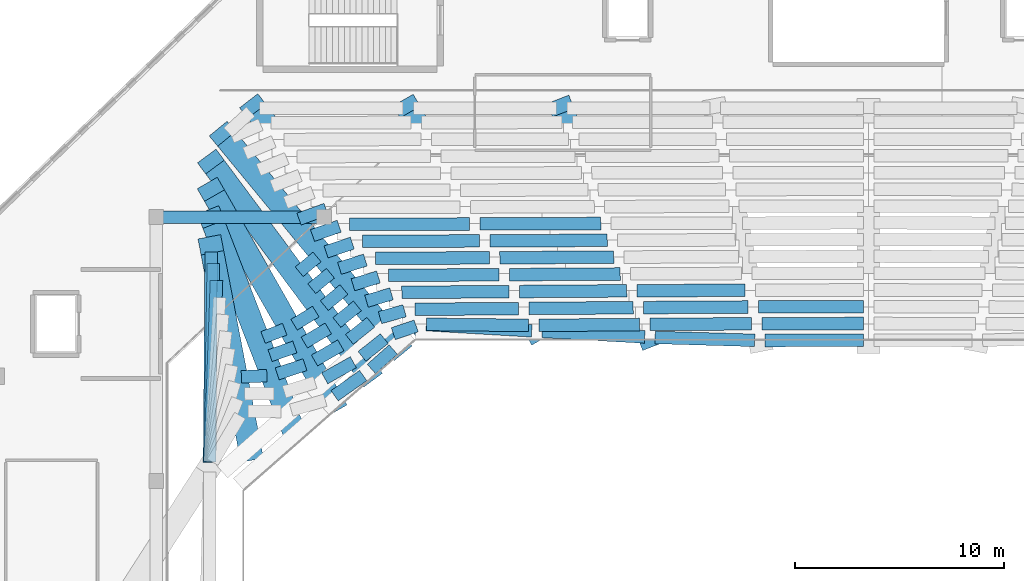
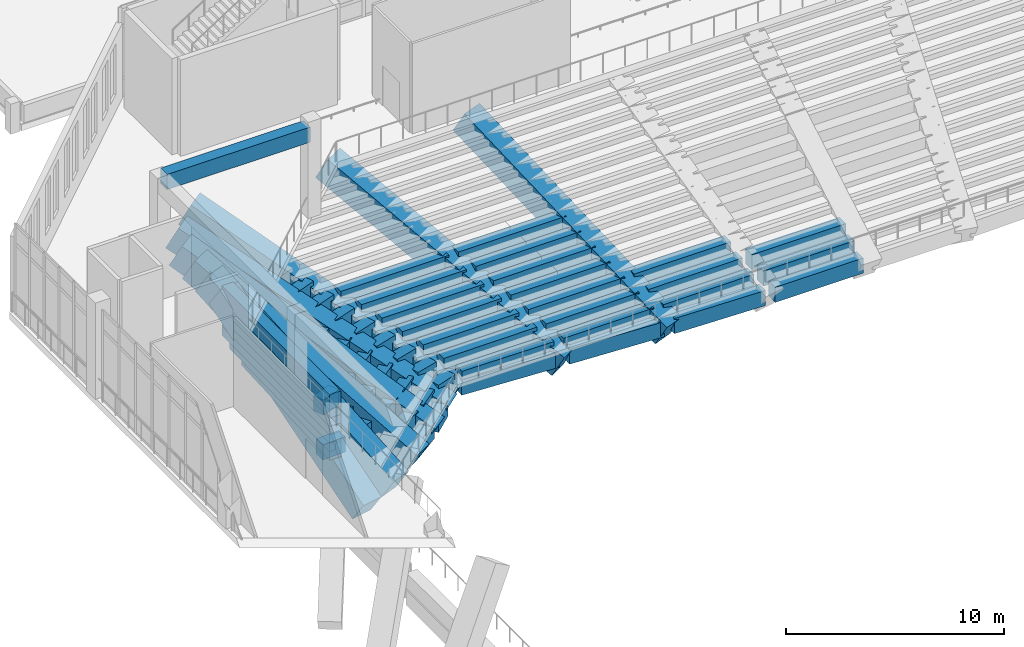
# One storey, part 20 of 55: 63 beams.
"""IFC4 building model written with IfcOpenShell, lengths in metres."""

import ifcopenshell
import ifcopenshell.guid

model = None  # the IFC model being written
_history = None  # IfcOwnerHistory: only IFC2X3 demands one
_inside = {}  # id of a spatial element -> (the spatial element, [elements in it])
_under = {}  # id of a project, library or spatial element -> (it, [spatial elements below it])
_declared = {}  # id of a project -> (the project, [libraries it declares])
_typed = {}  # id of a type object -> (the type object, [elements of that type])
_made_of = {}  # id of a material, layer set ... -> (it, [elements and type objects made of it])


def new_model(schema):
    """Start an empty IFC model of exactly this schema.

    Asked for "IFC4X3", IfcOpenShell would pick the latest addendum, in which some entities
    have other attributes; the version numbers below select the first issue.
    IFC2X3 requires an IfcOwnerHistory on every rooted entity: one is made here for all.
    """
    global model, _history
    if schema == "IFC4X3":
        model = ifcopenshell.file(schema_version=(4, 3, 0, 0))
    else:
        model = ifcopenshell.file(schema=schema)
    _inside.clear()
    _under.clear()
    _declared.clear()
    _typed.clear()
    _made_of.clear()
    _history = None
    if model.schema == "IFC2X3":
        org = make("IfcOrganization", Name="unknown")
        user = make(
            "IfcPersonAndOrganization",
            ThePerson=make("IfcPerson", FamilyName="unknown"),
            TheOrganization=org,
        )
        app = make(
            "IfcApplication",
            ApplicationDeveloper=org,
            Version="unknown",
            ApplicationFullName="unknown",
            ApplicationIdentifier="unknown",
        )
        _history = make(
            "IfcOwnerHistory",
            OwningUser=user,
            OwningApplication=app,
            ChangeAction="ADDED",
            CreationDate=0,
        )
    return model


def make(cls, **values):
    """One entity of the class cls with the attributes given. An attribute that is None is left unset."""
    return model.create_entity(
        cls, **{name: value for name, value in values.items() if value is not None}
    )


def rooted(cls, **values):
    """An entity with a GlobalId (a new one), such as an element, a storey or a relation."""
    return make(cls, GlobalId=ifcopenshell.guid.new(), OwnerHistory=_history, **values)


def si_unit(unit_type, name, prefix=None):
    """IfcSIUnit, for example si_unit("LENGTHUNIT", "METRE", prefix="MILLI")."""
    return make("IfcSIUnit", UnitType=unit_type, Prefix=prefix, Name=name)


def derived_unit(unit_type, elements):
    """IfcDerivedUnit: a product of units, each with its exponent."""
    return make(
        "IfcDerivedUnit",
        Elements=[
            make("IfcDerivedUnitElement", Unit=unit, Exponent=power)
            for unit, power in elements
        ],
        UnitType=unit_type,
    )


def assignment(units):
    """IfcUnitAssignment: the units of a project."""
    return None if units is None else make("IfcUnitAssignment", Units=units)


def point(xyz):
    """IfcCartesianPoint."""
    return None if xyz is None else make("IfcCartesianPoint", Coordinates=xyz)


def direction(xyz):
    """IfcDirection."""
    return None if xyz is None else make("IfcDirection", DirectionRatios=xyz)


def frame(location, z_axis=None, x_axis=None):
    """IfcAxis2Placement3D, a coordinate frame: its origin and axes. An axis left out is left unset."""
    return make(
        "IfcAxis2Placement3D",
        Location=point(location),
        Axis=direction(z_axis),
        RefDirection=direction(x_axis),
    )


def frame_2d(location, x_axis=None):
    """IfcAxis2Placement2D, a coordinate frame in the plane: its origin and x axis."""
    return make(
        "IfcAxis2Placement2D", Location=point(location), RefDirection=direction(x_axis)
    )


def origin():
    """The frame at (0, 0, 0) with its axes left unset."""
    return frame((0.0, 0.0, 0.0))


def origin_2d():
    """The frame at (0, 0) in the plane with its x axis left unset."""
    return frame_2d((0.0, 0.0))


def place(relative_to, where):
    """IfcLocalPlacement: puts the frame where relative to a parent placement (None: the world)."""
    return make(
        "IfcLocalPlacement", PlacementRelTo=relative_to, RelativePlacement=where
    )


def context(
    kind, dimensions, precision=None, world=None, true_north=None, identifier=None
):
    """IfcGeometricRepresentationContext, for example the 3D "Model" context."""
    return make(
        "IfcGeometricRepresentationContext",
        ContextIdentifier=identifier,
        ContextType=kind,
        CoordinateSpaceDimension=dimensions,
        Precision=precision,
        WorldCoordinateSystem=world,
        TrueNorth=true_north,
    )


def subcontext(parent, identifier, kind, view, scale=None):
    """IfcGeometricRepresentationSubContext, for example "Body" below "Model"."""
    return make(
        "IfcGeometricRepresentationSubContext",
        ContextIdentifier=identifier,
        ContextType=kind,
        ParentContext=parent,
        TargetScale=scale,
        TargetView=view,
    )


def project(units=None, contexts=None):
    """IfcProject with its units and contexts."""
    return rooted(
        "IfcProject",
        Name="project",
        RepresentationContexts=contexts,
        UnitsInContext=assignment(units),
    )


def spatial(cls, under=None, at=None, **own):
    """A site, building, storey or space (cls), placed at a placement, below another one or the project."""
    s = rooted(cls, ObjectPlacement=at, **own)
    if under is not None:
        _under.setdefault(under.id(), (under, []))[1].append(s)
    return s


def profile(cls, at=None, kind="AREA", **sizes):
    """A parametric profile (cls). Its sizes go by their IFC names, for example OverallWidth=200.0."""
    return make(cls, ProfileType=kind, Position=at, **sizes)


def rectangle(**sizes):
    """IfcRectangleProfileDef."""
    return profile("IfcRectangleProfileDef", **sizes)


def extrude(swept, where, along, depth):
    """IfcExtrudedAreaSolid: the profile swept, set in the frame where, extruded along a direction by depth."""
    return make(
        "IfcExtrudedAreaSolid",
        SweptArea=swept,
        Position=where,
        ExtrudedDirection=direction(along),
        Depth=depth,
    )


def shape(context_of_items, identifier, shape_type, items):
    """IfcShapeRepresentation: the items that make up one representation, for example the "Body"."""
    return make(
        "IfcShapeRepresentation",
        ContextOfItems=context_of_items,
        RepresentationIdentifier=identifier,
        RepresentationType=shape_type,
        Items=items,
    )


def material(Name=None, Category=None):
    """IfcMaterial."""
    return make("IfcMaterial", Name=Name, Category=Category)


def material_profile(
    of_material, cross_section, Name=None, Category=None, Priority=None
):
    """IfcMaterialProfile: a cross section and its material."""
    return make(
        "IfcMaterialProfile",
        Name=Name,
        Material=of_material,
        Profile=cross_section,
        Priority=Priority,
        Category=Category,
    )


def profile_set(profiles, Name=None, composite=None):
    """IfcMaterialProfileSet."""
    return make(
        "IfcMaterialProfileSet",
        Name=Name,
        MaterialProfiles=profiles,
        CompositeProfile=composite,
    )


def made_of(thing, what):
    """Note that an element or type object is made of a material, layer set ...; save() writes the relation."""
    if what is not None:
        _made_of.setdefault(what.id(), (what, []))[1].append(thing)
    return thing


def type_object(cls, material=None, **own):
    """A type object (cls), such as IfcWallType, which elements share."""
    return made_of(rooted(cls, **own), material)


def element(
    cls,
    number,
    at=None,
    inside=None,
    cuts=None,
    type_object=None,
    material=None,
    context=None,
    identifier="Body",
    shape_type=None,
    held_by="IfcProductDefinitionShape",
    body=None,
    shapes=None,
    **own,
):
    """One element of the class cls, such as IfcWall. Its Tag is "e" and its number.

    at: its placement. inside: the storey or other place that contains it. cuts: it is an
    opening in that element (IfcRelVoidsElement). A single representation is given by context,
    identifier, shape_type and body (its items); several are given by shapes. held_by: the class
    of the entity that holds the representations. save() writes the other relations.
    """
    e = rooted(cls, Tag="e%d" % number, ObjectPlacement=at, **own)
    if body is not None:
        shapes = [shape(context, identifier, shape_type, body)]
    if shapes is not None:
        e.Representation = make(held_by, Representations=shapes)
    if inside is not None:
        _inside.setdefault(inside.id(), (inside, []))[1].append(e)
    if cuts is not None:
        rooted(
            "IfcRelVoidsElement", RelatingBuildingElement=cuts, RelatedOpeningElement=e
        )
    if type_object is not None:
        _typed.setdefault(type_object.id(), (type_object, []))[1].append(e)
    return made_of(e, material)


def aggregate(whole, parts):
    """IfcRelAggregates: a whole, such as a stair, and the parts it consists of."""
    return rooted("IfcRelAggregates", RelatingObject=whole, RelatedObjects=parts)


def save(model, path):
    """Write the relations noted so far, then the file.

    IfcRelAggregates (storeys below a building ...), IfcRelContainedInSpatialStructure (elements
    in a storey), IfcRelDefinesByType, IfcRelAssociatesMaterial and IfcRelDeclares: one each for
    every whole, place, type object, material and project.
    """
    for whole, parts in _under.values():
        aggregate(whole, parts)
    for where, things in _inside.values():
        rooted(
            "IfcRelContainedInSpatialStructure",
            RelatedElements=things,
            RelatingStructure=where,
        )
    for kind, things in _typed.values():
        rooted("IfcRelDefinesByType", RelatedObjects=things, RelatingType=kind)
    for what, things in _made_of.values():
        rooted("IfcRelAssociatesMaterial", RelatedObjects=things, RelatingMaterial=what)
    for by, libraries in _declared.values():
        rooted("IfcRelDeclares", RelatingContext=by, RelatedDefinitions=libraries)
    model.write(path)


model = new_model("IFC4")

# Units and contexts
model_context = context("Model", 3, precision=1e-05, world=origin(), true_north=direction((0.0, 1.0)))
body_context = subcontext(model_context, "Body", "Model", "MODEL_VIEW")
ifc_project = project(units=[si_unit("LENGTHUNIT", "METRE"), si_unit("AREAUNIT", "SQUARE_METRE"), si_unit("VOLUMEUNIT", "CUBIC_METRE"), si_unit("PLANEANGLEUNIT", "RADIAN"), si_unit("MASSUNIT", "GRAM", prefix="KILO"), derived_unit("THERMALTRANSMITTANCEUNIT", [(si_unit("MASSUNIT", "GRAM", prefix="KILO"), 1), (si_unit("TIMEUNIT", "SECOND"), -3), (si_unit("THERMODYNAMICTEMPERATUREUNIT", "KELVIN"), -1)])], contexts=[model_context])

# Site, building, storey
site_placement = place(None, origin())
site = spatial("IfcSite", under=ifc_project, at=site_placement, CompositionType="ELEMENT")
building_placement = place(site_placement, origin())
building = spatial("IfcBuilding", under=site, at=building_placement, Name="Valcora Ridge Arena", CompositionType="ELEMENT")
storey_placement = place(building_placement, frame((0.0, 0.0, 21.0)))
storey = spatial("IfcBuildingStorey", under=building, at=storey_placement, Name="L04", CompositionType="ELEMENT", Elevation=21.0)

# Beams
ifc_material_1 = material(Name="Concrete C40/50", Category="concrete")
ifc_material_profile_1 = material_profile(ifc_material_1, rectangle(XDim=0.60009765625, YDim=0.85009765625, at=origin_2d()), Name="RC 600x850")
ifc_profile_set_1 = profile_set([ifc_material_profile_1], Name="Concrete C40/50")
beam_type_1 = type_object("IfcBeamType", Name="TY-BEAM-B-RC600-X", PredefinedType="BEAM", material=ifc_profile_set_1)
beam_1_placement = place(storey_placement, frame((57.75, 89.71923828125, -8.22509765625), z_axis=(-0.999996196018, -0.002758251282, 0.0), x_axis=(0.002758251282, -0.999996196018, 0.0)))
element("IfcBeam", 1, at=beam_1_placement, inside=storey, type_object=beam_type_1, Name="B-RC600-X BEM-RU3-B-RC600-X-0035", PredefinedType="BEAM", context=body_context, shape_type="SweptSolid", body=[
    extrude(rectangle(XDim=0.60009765625, YDim=0.85009765625, at=origin_2d()), origin(), (0.0, 0.0, 1.0), 4.691162109375),
])
beam_2_placement = place(storey_placement, frame((52.55908203125, 89.712890625, -8.22509765625), z_axis=(-0.999569750047, 0.029331123248, 0.0), x_axis=(-0.029331123248, -0.999569750047, 0.0)))
element("IfcBeam", 2, at=beam_2_placement, inside=storey, type_object=beam_type_1, Name="B-RC600-X BEM-RU3-B-RC600-X-0036", PredefinedType="BEAM", context=body_context, shape_type="SweptSolid", body=[
    extrude(rectangle(XDim=0.60009765625, YDim=0.85009765625, at=origin_2d()), origin(), (0.0, 0.0, 1.0), 4.752685546875),
])
beam_3_placement = place(storey_placement, frame((47.308837890625, 89.873291015625, -8.22509765625), z_axis=(-0.998486603928, 0.054995470502, 0.0), x_axis=(-0.054995470502, -0.998486603928, 0.0)))
element("IfcBeam", 3, at=beam_3_placement, inside=storey, type_object=beam_type_1, Name="B-RC600-X BEM-RU3-B-RC600-X-0037", PredefinedType="BEAM", context=body_context, shape_type="SweptSolid", body=[
    extrude(rectangle(XDim=0.60009765625, YDim=0.85009765625, at=origin_2d()), origin(), (0.0, 0.0, 1.0), 4.90087890625),
])
beam_4_placement = place(storey_placement, frame((41.916015625, 90.17138671875, -8.22509765625), z_axis=(-0.998276711719, 0.058682253186, 0.0), x_axis=(-0.058682253186, -0.998276711719, 0.0)))
element("IfcBeam", 4, at=beam_4_placement, inside=storey, type_object=beam_type_1, Name="B-RC600-X BEM-RU3-B-RC600-X-0038", PredefinedType="BEAM", context=body_context, shape_type="SweptSolid", body=[
    extrude(rectangle(XDim=0.60009765625, YDim=0.85009765625, at=origin_2d()), origin(), (0.0, 0.0, 1.0), 5.038330078125),
])
beam_5_placement = place(storey_placement, frame((35.30810546875, 89.27587890625, -8.22509765625), z_axis=(-0.746599951201, -0.6652732618, 0.0), x_axis=(0.6652732618, -0.746599951201, 0.0)))
element("IfcBeam", 5, at=beam_5_placement, inside=storey, type_object=beam_type_1, Name="B-RC600-X BEM-RU3-B-RC600-X-0039", PredefinedType="BEAM", context=body_context, shape_type="SweptSolid", body=[
    extrude(rectangle(XDim=0.60009765625, YDim=0.85009765625, at=origin_2d()), origin(), (0.0, 0.0, 1.0), 1.39892578125),
])
beam_6_placement = place(storey_placement, frame((33.872802734375, 88.03466796875, -8.22509765625), z_axis=(-0.816975955166, -0.576671733901, 0.0), x_axis=(0.576671733901, -0.816975955166, 0.0)))
element("IfcBeam", 6, at=beam_6_placement, inside=storey, type_object=beam_type_1, Name="B-RC600-X BEM-RU3-B-RC600-X-0040", PredefinedType="BEAM", context=body_context, shape_type="SweptSolid", body=[
    extrude(rectangle(XDim=0.60009765625, YDim=0.85009765625, at=origin_2d()), origin(), (0.0, 0.0, 1.0), 1.67236328125),
])
beam_7_placement = place(storey_placement, frame((57.75, 90.519287109375, -7.7451171875), z_axis=(-0.99999695262, -0.002468755072, 0.0), x_axis=(0.002468755072, -0.99999695262, 0.0)))
element("IfcBeam", 7, at=beam_7_placement, inside=storey, type_object=beam_type_1, Name="B-RC600-X BEM-RU3-B-RC600-X-0085", PredefinedType="BEAM", context=body_context, shape_type="SweptSolid", body=[
    extrude(rectangle(XDim=0.60009765625, YDim=0.85009765625, at=origin_2d()), origin(), (0.0, 0.0, 1.0), 4.845703125),
])
beam_8_placement = place(storey_placement, frame((52.404296875, 90.505126953125, -7.7451171875), z_axis=(-0.999978762062, -0.006517317249, 0.0), x_axis=(0.006517317249, -0.999978762062, 0.0)))
element("IfcBeam", 8, at=beam_8_placement, inside=storey, type_object=beam_type_1, Name="B-RC600-X BEM-RU3-B-RC600-X-0086", PredefinedType="BEAM", context=body_context, shape_type="SweptSolid", body=[
    extrude(rectangle(XDim=0.60009765625, YDim=0.85009765625, at=origin_2d()), origin(), (0.0, 0.0, 1.0), 4.832275390625),
])
beam_9_placement = place(storey_placement, frame((47.072021484375, 90.469970703125, -7.7451171875), z_axis=(-0.999964118208, -0.008471263011, 0.0), x_axis=(0.008471263011, -0.999964118208, 0.0)))
element("IfcBeam", 9, at=beam_9_placement, inside=storey, type_object=beam_type_1, Name="B-RC600-X BEM-RU3-B-RC600-X-0087", PredefinedType="BEAM", context=body_context, shape_type="SweptSolid", body=[
    extrude(rectangle(XDim=0.60009765625, YDim=0.85009765625, at=origin_2d()), origin(), (0.0, 0.0, 1.0), 4.81298828125),
])
beam_10_placement = place(storey_placement, frame((41.75927734375, 90.4296875, -7.7451171875), z_axis=(-0.999948270549, 0.010171343334, 0.0), x_axis=(-0.010171343334, -0.999948270549, 0.0)))
element("IfcBeam", 10, at=beam_10_placement, inside=storey, type_object=beam_type_1, Name="B-RC600-X BEM-RU3-B-RC600-X-0088", PredefinedType="BEAM", context=body_context, shape_type="SweptSolid", body=[
    extrude(rectangle(XDim=0.60009765625, YDim=0.85009765625, at=origin_2d()), origin(), (0.0, 0.0, 1.0), 4.87255859375),
])
beam_11_placement = place(storey_placement, frame((36.400146484375, 90.401611328125, -7.7451171875), z_axis=(-0.947035229154, -0.321129685239, 0.0), x_axis=(0.321129685239, -0.947035229154, 0.0)))
element("IfcBeam", 11, at=beam_11_placement, inside=storey, type_object=beam_type_1, Name="B-RC600-X BEM-RU3-B-RC600-X-0089", PredefinedType="BEAM", context=body_context, shape_type="SweptSolid", body=[
    extrude(rectangle(XDim=0.60009765625, YDim=0.85009765625, at=origin_2d()), origin(), (0.0, 0.0, 1.0), 1.1494140625),
])
beam_12_placement = place(storey_placement, frame((34.879150390625, 89.79638671875, -7.7451171875), z_axis=(-0.782426005686, -0.622743563295, 0.0), x_axis=(0.622743563295, -0.782426005686, 0.0)))
element("IfcBeam", 12, at=beam_12_placement, inside=storey, type_object=beam_type_1, Name="B-RC600-X BEM-RU3-B-RC600-X-0090", PredefinedType="BEAM", context=body_context, shape_type="SweptSolid", body=[
    extrude(rectangle(XDim=0.60009765625, YDim=0.85009765625, at=origin_2d()), origin(), (0.0, 0.0, 1.0), 1.359130859375),
])
beam_13_placement = place(storey_placement, frame((33.40234375, 88.67138671875, -7.7451171875), z_axis=(-0.87122233951, -0.490888617854, 0.0), x_axis=(0.490888617854, -0.87122233951, 0.0)))
element("IfcBeam", 13, at=beam_13_placement, inside=storey, type_object=beam_type_1, Name="B-RC600-X BEM-RU3-B-RC600-X-0091", PredefinedType="BEAM", context=body_context, shape_type="SweptSolid", body=[
    extrude(rectangle(XDim=0.60009765625, YDim=0.85009765625, at=origin_2d()), origin(), (0.0, 0.0, 1.0), 1.570068359375),
])
beam_14_placement = place(storey_placement, frame((57.75, 91.3193359375, -7.264892578125), z_axis=(-0.999997586021, -0.002197260321, 0.0), x_axis=(0.002197260321, -0.999997586021, 0.0)))
element("IfcBeam", 14, at=beam_14_placement, inside=storey, type_object=beam_type_1, Name="B-RC600-X BEM-RU3-B-RC600-X-0136", PredefinedType="BEAM", context=body_context, shape_type="SweptSolid", body=[
    extrude(rectangle(XDim=0.60009765625, YDim=0.85009765625, at=origin_2d()), origin(), (0.0, 0.0, 1.0), 5.0),
])
beam_15_placement = place(storey_placement, frame((52.25, 91.306396484375, -7.264892578125), z_axis=(-0.999983036473, -0.00582466869, 0.0), x_axis=(0.00582466869, -0.999983036473, 0.0)))
element("IfcBeam", 15, at=beam_15_placement, inside=storey, type_object=beam_type_1, Name="B-RC600-X BEM-RU3-B-RC600-X-0137", PredefinedType="BEAM", context=body_context, shape_type="SweptSolid", body=[
    extrude(rectangle(XDim=0.60009765625, YDim=0.85009765625, at=origin_2d()), origin(), (0.0, 0.0, 1.0), 4.98779296875),
])
beam_16_placement = place(storey_placement, frame((46.76220703125, 91.27392578125, -7.264892578125), z_axis=(-0.999971386878, -0.007564748911, 0.0), x_axis=(0.007564748911, -0.999971386878, 0.0)))
element("IfcBeam", 16, at=beam_16_placement, inside=storey, type_object=beam_type_1, Name="B-RC600-X BEM-RU3-B-RC600-X-0138", PredefinedType="BEAM", context=body_context, shape_type="SweptSolid", body=[
    extrude(rectangle(XDim=0.60009765625, YDim=0.85009765625, at=origin_2d()), origin(), (0.0, 0.0, 1.0), 4.97021484375),
])
beam_17_placement = place(storey_placement, frame((41.292236328125, 91.232421875, -7.264892578125), z_axis=(-0.999970825227, -0.007638631803, 0.0), x_axis=(0.007638631803, -0.999970825227, 0.0)))
element("IfcBeam", 17, at=beam_17_placement, inside=storey, type_object=beam_type_1, Name="B-RC600-X BEM-RU3-B-RC600-X-0139", PredefinedType="BEAM", context=body_context, shape_type="SweptSolid", body=[
    extrude(rectangle(XDim=0.60009765625, YDim=0.85009765625, at=origin_2d()), origin(), (0.0, 0.0, 1.0), 4.9541015625),
])
beam_18_placement = place(storey_placement, frame((35.84765625, 91.1259765625, -7.264892578125), z_axis=(-0.963566653158, -0.267468325082, 0.0), x_axis=(0.267468325082, -0.963566653158, 0.0)))
element("IfcBeam", 18, at=beam_18_placement, inside=storey, type_object=beam_type_1, Name="B-RC600-X BEM-RU3-B-RC600-X-0140", PredefinedType="BEAM", context=body_context, shape_type="SweptSolid", body=[
    extrude(rectangle(XDim=0.60009765625, YDim=0.85009765625, at=origin_2d()), origin(), (0.0, 0.0, 1.0), 1.219482421875),
])
beam_19_placement = place(storey_placement, frame((34.236572265625, 90.57666015625, -7.264892578125), z_axis=(-0.780030838, -0.625741074062, 0.0), x_axis=(0.625741074062, -0.780030838, 0.0)))
element("IfcBeam", 19, at=beam_19_placement, inside=storey, type_object=beam_type_1, Name="B-RC600-X BEM-RU3-B-RC600-X-0141", PredefinedType="BEAM", context=body_context, shape_type="SweptSolid", body=[
    extrude(rectangle(XDim=0.60009765625, YDim=0.85009765625, at=origin_2d()), origin(), (0.0, 0.0, 1.0), 1.30859375),
])
beam_20_placement = place(storey_placement, frame((32.80419921875, 89.476806640625, -7.264892578125), z_axis=(-0.86687173041, -0.498531245777, 0.0), x_axis=(0.498531245777, -0.86687173041, 0.0)))
element("IfcBeam", 20, at=beam_20_placement, inside=storey, type_object=beam_type_1, Name="B-RC600-X BEM-RU3-B-RC600-X-0142", PredefinedType="BEAM", context=body_context, shape_type="SweptSolid", body=[
    extrude(rectangle(XDim=0.60009765625, YDim=0.85009765625, at=origin_2d()), origin(), (0.0, 0.0, 1.0), 1.449462890625),
])
beam_21_placement = place(storey_placement, frame((31.093505859375, 88.5517578125, -7.264892578125), z_axis=(-0.950260038819, -0.311457635358, 0.0), x_axis=(0.311457635358, -0.950260038819, 0.0)))
element("IfcBeam", 21, at=beam_21_placement, inside=storey, type_object=beam_type_1, Name="B-RC600-X BEM-RU3-B-RC600-X-0143", PredefinedType="BEAM", context=body_context, shape_type="SweptSolid", body=[
    extrude(rectangle(XDim=0.60009765625, YDim=0.85009765625, at=origin_2d()), origin(), (0.0, 0.0, 1.0), 1.3984375),
])
beam_22_placement = place(storey_placement, frame((29.27734375, 88.027099609375, -7.264892578125), z_axis=(-0.99901064458, -0.044471699037, 0.0), x_axis=(0.044471699037, -0.99901064458, 0.0)))
element("IfcBeam", 22, at=beam_22_placement, inside=storey, type_object=beam_type_1, Name="B-RC600-X BEM-RU3-B-RC600-X-0144", PredefinedType="BEAM", context=body_context, shape_type="SweptSolid", body=[
    extrude(rectangle(XDim=0.60009765625, YDim=0.85009765625, at=origin_2d()), origin(), (0.0, 0.0, 1.0), 1.21875),
])
beam_23_placement = place(storey_placement, frame((52.095458984375, 92.107421875, -6.784912109375), z_axis=(-0.999986615292, -0.005173899514, 0.0), x_axis=(0.005173899514, -0.999986615292, 0.0)))
element("IfcBeam", 23, at=beam_23_placement, inside=storey, type_object=beam_type_1, Name="B-RC600-X BEM-RU3-B-RC600-X-0187", PredefinedType="BEAM", context=body_context, shape_type="SweptSolid", body=[
    extrude(rectangle(XDim=0.60009765625, YDim=0.85009765625, at=origin_2d()), origin(), (0.0, 0.0, 1.0), 5.143310546875),
])
beam_24_placement = place(storey_placement, frame((46.4521484375, 92.077880859375, -6.784912109375), z_axis=(-0.999977139106, -0.006761750179, 0.0), x_axis=(0.006761750179, -0.999977139106, 0.0)))
element("IfcBeam", 24, at=beam_24_placement, inside=storey, type_object=beam_type_1, Name="B-RC600-X BEM-RU3-B-RC600-X-0188", PredefinedType="BEAM", context=body_context, shape_type="SweptSolid", body=[
    extrude(rectangle(XDim=0.60009765625, YDim=0.85009765625, at=origin_2d()), origin(), (0.0, 0.0, 1.0), 5.126953125),
])
beam_25_placement = place(storey_placement, frame((40.8251953125, 92.039794921875, -6.784912109375), z_axis=(-0.999976680727, -0.006829202223, 0.0), x_axis=(0.006829202223, -0.999976680727, 0.0)))
element("IfcBeam", 25, at=beam_25_placement, inside=storey, type_object=beam_type_1, Name="B-RC600-X BEM-RU3-B-RC600-X-0189", PredefinedType="BEAM", context=body_context, shape_type="SweptSolid", body=[
    extrude(rectangle(XDim=0.60009765625, YDim=0.85009765625, at=origin_2d()), origin(), (0.0, 0.0, 1.0), 5.112060546875),
])
beam_26_placement = place(storey_placement, frame((35.22314453125, 91.93310546875, -6.784912109375), z_axis=(-0.959848260942, -0.280519724739, 0.0), x_axis=(0.280519724739, -0.959848260942, 0.0)))
element("IfcBeam", 26, at=beam_26_placement, inside=storey, type_object=beam_type_1, Name="B-RC600-X BEM-RU3-B-RC600-X-0190", PredefinedType="BEAM", context=body_context, shape_type="SweptSolid", body=[
    extrude(rectangle(XDim=0.60009765625, YDim=0.85009765625, at=origin_2d()), origin(), (0.0, 0.0, 1.0), 1.24462890625),
])
beam_27_placement = place(storey_placement, frame((33.59423828125, 91.356689453125, -6.784912109375), z_axis=(-0.777525027849, -0.628851994566, 0.0), x_axis=(0.628851994566, -0.777525027849, 0.0)))
element("IfcBeam", 27, at=beam_27_placement, inside=storey, type_object=beam_type_1, Name="B-RC600-X BEM-RU3-B-RC600-X-0191", PredefinedType="BEAM", context=body_context, shape_type="SweptSolid", body=[
    extrude(rectangle(XDim=0.60009765625, YDim=0.85009765625, at=origin_2d()), origin(), (0.0, 0.0, 1.0), 1.2578125),
])
beam_28_placement = place(storey_placement, frame((32.206298828125, 90.281494140625, -6.784912109375), z_axis=(-0.86201449332, -0.506883628958, 0.0), x_axis=(0.506883628958, -0.86201449332, 0.0)))
element("IfcBeam", 28, at=beam_28_placement, inside=storey, type_object=beam_type_1, Name="B-RC600-X BEM-RU3-B-RC600-X-0192", PredefinedType="BEAM", context=body_context, shape_type="SweptSolid", body=[
    extrude(rectangle(XDim=0.60009765625, YDim=0.85009765625, at=origin_2d()), origin(), (0.0, 0.0, 1.0), 1.328857421875),
])
beam_29_placement = place(storey_placement, frame((30.609619140625, 89.398193359375, -6.784912109375), z_axis=(-0.943507963543, -0.331349849451, 0.0), x_axis=(0.331349849451, -0.943507963543, 0.0)))
element("IfcBeam", 29, at=beam_29_placement, inside=storey, type_object=beam_type_1, Name="B-RC600-X BEM-RU3-B-RC600-X-0193", PredefinedType="BEAM", context=body_context, shape_type="SweptSolid", body=[
    extrude(rectangle(XDim=0.60009765625, YDim=0.85009765625, at=origin_2d()), origin(), (0.0, 0.0, 1.0), 1.2509765625),
])
beam_30_placement = place(storey_placement, frame((46.14208984375, 92.881591796875, -6.304931640625), z_axis=(-0.999982237547, -0.005960250827, 0.0), x_axis=(0.005960250827, -0.999982237547, 0.0)))
element("IfcBeam", 30, at=beam_30_placement, inside=storey, type_object=beam_type_1, Name="B-RC600-X BEM-RU3-B-RC600-X-0231", PredefinedType="BEAM", context=body_context, shape_type="SweptSolid", body=[
    extrude(rectangle(XDim=0.60009765625, YDim=0.85009765625, at=origin_2d()), origin(), (0.0, 0.0, 1.0), 5.283935546875),
])
beam_31_placement = place(storey_placement, frame((40.358154296875, 92.84716796875, -6.304931640625), z_axis=(-0.99998186739, -0.006022033759, 0.0), x_axis=(0.006022033759, -0.99998186739, 0.0)))
element("IfcBeam", 31, at=beam_31_placement, inside=storey, type_object=beam_type_1, Name="B-RC600-X BEM-RU3-B-RC600-X-0232", PredefinedType="BEAM", context=body_context, shape_type="SweptSolid", body=[
    extrude(rectangle(XDim=0.60009765625, YDim=0.85009765625, at=origin_2d()), origin(), (0.0, 0.0, 1.0), 5.270263671875),
])
beam_32_placement = place(storey_placement, frame((34.598876953125, 92.740478515625, -6.304931640625), z_axis=(-0.956019721156, -0.293302391332, 0.0), x_axis=(0.293302391332, -0.956019721156, 0.0)))
element("IfcBeam", 32, at=beam_32_placement, inside=storey, type_object=beam_type_1, Name="B-RC600-X BEM-RU3-B-RC600-X-0233", PredefinedType="BEAM", context=body_context, shape_type="SweptSolid", body=[
    extrude(rectangle(XDim=0.60009765625, YDim=0.85009765625, at=origin_2d()), origin(), (0.0, 0.0, 1.0), 1.270263671875),
])
beam_33_placement = place(storey_placement, frame((32.951904296875, 92.13671875, -6.304931640625), z_axis=(-0.774776404449, -0.63223533839, 0.0), x_axis=(0.63223533839, -0.774776404449, 0.0)))
element("IfcBeam", 33, at=beam_33_placement, inside=storey, type_object=beam_type_1, Name="B-RC600-X BEM-RU3-B-RC600-X-0234", PredefinedType="BEAM", context=body_context, shape_type="SweptSolid", body=[
    extrude(rectangle(XDim=0.60009765625, YDim=0.85009765625, at=origin_2d()), origin(), (0.0, 0.0, 1.0), 1.20751953125),
])
beam_34_placement = place(storey_placement, frame((31.608642578125, 91.086181640625, -6.304931640625), z_axis=(-0.856135271255, -0.516751775335, 0.0), x_axis=(0.516751775335, -0.856135271255, 0.0)))
element("IfcBeam", 34, at=beam_34_placement, inside=storey, type_object=beam_type_1, Name="B-RC600-X BEM-RU3-B-RC600-X-0235", PredefinedType="BEAM", context=body_context, shape_type="SweptSolid", body=[
    extrude(rectangle(XDim=0.60009765625, YDim=0.85009765625, at=origin_2d()), origin(), (0.0, 0.0, 1.0), 1.20849609375),
])
beam_35_placement = place(storey_placement, frame((30.126220703125, 90.24365234375, -6.304931640625), z_axis=(-0.935015209488, -0.354607611349, 0.0), x_axis=(0.354607611349, -0.935015209488, 0.0)))
element("IfcBeam", 35, at=beam_35_placement, inside=storey, type_object=beam_type_1, Name="B-RC600-X BEM-RU3-B-RC600-X-0236", PredefinedType="BEAM", context=body_context, shape_type="SweptSolid", body=[
    extrude(rectangle(XDim=0.60009765625, YDim=0.85009765625, at=origin_2d()), origin(), (0.0, 0.0, 1.0), 1.10498046875),
])
beam_36_placement = place(storey_placement, frame((45.832275390625, 93.685546875, -5.824951171875), z_axis=(-0.999986220625, -0.005249624795, 0.0), x_axis=(0.005249624795, -0.999986220625, 0.0)))
element("IfcBeam", 36, at=beam_36_placement, inside=storey, type_object=beam_type_1, Name="B-RC600-X BEM-RU3-B-RC600-X-0269", PredefinedType="BEAM", context=body_context, shape_type="SweptSolid", body=[
    extrude(rectangle(XDim=0.60009765625, YDim=0.85009765625, at=origin_2d()), origin(), (0.0, 0.0, 1.0), 5.441162109375),
])
beam_37_placement = place(storey_placement, frame((39.89111328125, 93.654541015625, -5.824951171875), z_axis=(-0.999986157346, -0.005261664886, 0.0), x_axis=(0.005261664886, -0.999986157346, 0.0)))
element("IfcBeam", 37, at=beam_37_placement, inside=storey, type_object=beam_type_1, Name="B-RC600-X BEM-RU3-B-RC600-X-0270", PredefinedType="BEAM", context=body_context, shape_type="SweptSolid", body=[
    extrude(rectangle(XDim=0.60009765625, YDim=0.85009765625, at=origin_2d()), origin(), (0.0, 0.0, 1.0), 5.4287109375),
])
beam_38_placement = place(storey_placement, frame((33.974609375, 93.548095703125, -5.824951171875), z_axis=(-0.952110851119, -0.30575304934, 0.0), x_axis=(0.30575304934, -0.952110851119, 0.0)))
element("IfcBeam", 38, at=beam_38_placement, inside=storey, type_object=beam_type_1, Name="B-RC600-X BEM-RU3-B-RC600-X-0271", PredefinedType="BEAM", context=body_context, shape_type="SweptSolid", body=[
    extrude(rectangle(XDim=0.60009765625, YDim=0.85009765625, at=origin_2d()), origin(), (0.0, 0.0, 1.0), 1.2958984375),
])
beam_39_placement = place(storey_placement, frame((32.309814453125, 92.91650390625, -5.824951171875), z_axis=(-0.772064216986, -0.635544526253, 0.0), x_axis=(0.635544526253, -0.772064216986, 0.0)))
element("IfcBeam", 39, at=beam_39_placement, inside=storey, type_object=beam_type_1, Name="B-RC600-X BEM-RU3-B-RC600-X-0272", PredefinedType="BEAM", context=body_context, shape_type="SweptSolid", body=[
    extrude(rectangle(XDim=0.60009765625, YDim=0.85009765625, at=origin_2d()), origin(), (0.0, 0.0, 1.0), 1.156982421875),
])
beam_40_placement = place(storey_placement, frame((45.522216796875, 94.489501953125, -5.344970703125), z_axis=(-0.999989713687, -0.004535694109, 0.0), x_axis=(0.004535694109, -0.999989713687, 0.0)))
element("IfcBeam", 40, at=beam_40_placement, inside=storey, type_object=beam_type_1, Name="B-RC600-X BEM-RU3-B-RC600-X-0301", PredefinedType="BEAM", context=body_context, shape_type="SweptSolid", body=[
    extrude(rectangle(XDim=0.60009765625, YDim=0.85009765625, at=origin_2d()), origin(), (0.0, 0.0, 1.0), 5.597900390625),
])
beam_41_placement = place(storey_placement, frame((39.42431640625, 94.4619140625, -5.344970703125), z_axis=(-0.999989474568, -0.00458810989, 0.0), x_axis=(0.00458810989, -0.999989474568, 0.0)))
element("IfcBeam", 41, at=beam_41_placement, inside=storey, type_object=beam_type_1, Name="B-RC600-X BEM-RU3-B-RC600-X-0302", PredefinedType="BEAM", context=body_context, shape_type="SweptSolid", body=[
    extrude(rectangle(XDim=0.60009765625, YDim=0.85009765625, at=origin_2d()), origin(), (0.0, 0.0, 1.0), 5.587158203125),
])
beam_42_placement = place(storey_placement, frame((33.35009765625, 94.355712890625, -5.344970703125), z_axis=(-0.948072021383, -0.31805572196, 0.0), x_axis=(0.31805572196, -0.948072021383, 0.0)))
element("IfcBeam", 42, at=beam_42_placement, inside=storey, type_object=beam_type_1, Name="B-RC600-X BEM-RU3-B-RC600-X-0303", PredefinedType="BEAM", context=body_context, shape_type="SweptSolid", body=[
    extrude(rectangle(XDim=0.60009765625, YDim=0.85009765625, at=origin_2d()), origin(), (0.0, 0.0, 1.0), 1.32177734375),
])
beam_43_placement = place(storey_placement, frame((31.667724609375, 93.696044921875, -5.344970703125), z_axis=(-0.768998447088, -0.639250645972, 0.0), x_axis=(0.639250645972, -0.768998447088, 0.0)))
element("IfcBeam", 43, at=beam_43_placement, inside=storey, type_object=beam_type_1, Name="B-RC600-X BEM-RU3-B-RC600-X-0304", PredefinedType="BEAM", context=body_context, shape_type="SweptSolid", body=[
    extrude(rectangle(XDim=0.60009765625, YDim=0.85009765625, at=origin_2d()), origin(), (0.0, 0.0, 1.0), 1.1064453125),
])
beam_44_placement = place(storey_placement, frame((45.212158203125, 95.293212890625, -4.864990234375), z_axis=(-0.999992548305, -0.003860483705, 0.0), x_axis=(0.003860483705, -0.999992548305, 0.0)))
element("IfcBeam", 44, at=beam_44_placement, inside=storey, type_object=beam_type_1, Name="B-RC600-X BEM-RU3-B-RC600-X-0332", PredefinedType="BEAM", context=body_context, shape_type="SweptSolid", body=[
    extrude(rectangle(XDim=0.60009765625, YDim=0.85009765625, at=origin_2d()), origin(), (0.0, 0.0, 1.0), 5.7548828125),
])
beam_45_placement = place(storey_placement, frame((38.957275390625, 95.26904296875, -4.864990234375), z_axis=(-0.999992523586, -0.003866881386, 0.0), x_axis=(0.003866881386, -0.999992523586, 0.0)))
element("IfcBeam", 45, at=beam_45_placement, inside=storey, type_object=beam_type_1, Name="B-RC600-X BEM-RU3-B-RC600-X-0333", PredefinedType="BEAM", context=body_context, shape_type="SweptSolid", body=[
    extrude(rectangle(XDim=0.60009765625, YDim=0.85009765625, at=origin_2d()), origin(), (0.0, 0.0, 1.0), 5.745361328125),
])
beam_46_placement = place(storey_placement, frame((32.725830078125, 95.163330078125, -4.864990234375), z_axis=(-0.944058639629, -0.329777629535, 0.0), x_axis=(0.329777629535, -0.944058639629, 0.0)))
element("IfcBeam", 46, at=beam_46_placement, inside=storey, type_object=beam_type_1, Name="B-RC600-X BEM-RU3-B-RC600-X-0334", PredefinedType="BEAM", context=body_context, shape_type="SweptSolid", body=[
    extrude(rectangle(XDim=0.60009765625, YDim=0.85009765625, at=origin_2d()), origin(), (0.0, 0.0, 1.0), 1.34814453125),
])
beam_47_placement = place(storey_placement, frame((32.1015625, 95.97119140625, -4.385009765625), z_axis=(-0.940005836098, -0.341158362204, 0.0), x_axis=(0.341158362204, -0.940005836098, 0.0)))
element("IfcBeam", 47, at=beam_47_placement, inside=storey, type_object=beam_type_1, Name="B-RC600-X BEM-RU3-B-RC600-X-0364", PredefinedType="BEAM", context=body_context, shape_type="SweptSolid", body=[
    extrude(rectangle(XDim=0.60009765625, YDim=0.85009765625, at=origin_2d()), origin(), (0.0, 0.0, 1.0), 1.374755859375),
])
beam_48_placement = place(storey_placement, frame((26.86962890625, 92.572509765625, -4.385009765625), z_axis=(-0.035132450763, -0.9993826649, 0.0), x_axis=(0.9993826649, -0.035132450763, 0.0)))
element("IfcBeam", 48, at=beam_48_placement, inside=storey, type_object=beam_type_1, Name="B-RC600-X BEM-RU3-B-RC600-X-0365", PredefinedType="BEAM", context=body_context, shape_type="SweptSolid", body=[
    extrude(rectangle(XDim=0.60009765625, YDim=0.85009765625, at=origin_2d()), origin(), (0.0, 0.0, 1.0), 8.644775390625),
])
beam_49_placement = place(storey_placement, frame((26.718994140625, 93.382080078125, -3.905029296875), z_axis=(-0.016688887996, -0.999860730811, 0.0), x_axis=(0.999860730811, -0.016688887996, 0.0)))
element("IfcBeam", 49, at=beam_49_placement, inside=storey, type_object=beam_type_1, Name="B-RC600-X BEM-RU3-B-RC600-X-0395", PredefinedType="BEAM", context=body_context, shape_type="SweptSolid", body=[
    extrude(rectangle(XDim=0.60009765625, YDim=0.85009765625, at=origin_2d()), origin(), (0.0, 0.0, 1.0), 9.4501953125),
])
beam_50_placement = place(storey_placement, frame((26.617431640625, 93.926025390625, -3.425048828125), z_axis=(-0.006299010732, -0.999980161035, 0.0), x_axis=(0.999980161035, -0.006299010732, 0.0)))
element("IfcBeam", 50, at=beam_50_placement, inside=storey, type_object=beam_type_1, Name="B-RC600-X BEM-RU3-B-RC600-X-0427", PredefinedType="BEAM", context=body_context, shape_type="SweptSolid", body=[
    extrude(rectangle(XDim=0.60009765625, YDim=0.85009765625, at=origin_2d()), origin(), (0.0, 0.0, 1.0), 9.999755859375),
])
beam_51_placement = place(storey_placement, frame((26.6171875, 93.926025390625, -2.945068359375), z_axis=(-0.006854166243, -0.999976509927, 0.0), x_axis=(0.999976509927, -0.006854166243, 0.0)))
element("IfcBeam", 51, at=beam_51_placement, inside=storey, type_object=beam_type_1, Name="B-RC600-X BEM-RU3-B-RC600-X-0459", PredefinedType="BEAM", context=body_context, shape_type="SweptSolid", body=[
    extrude(rectangle(XDim=0.60009765625, YDim=0.85009765625, at=origin_2d()), origin(), (0.0, 0.0, 1.0), 10.009033203125),
])
beam_52_placement = place(storey_placement, frame((26.6171875, 93.926025390625, -2.465087890625), z_axis=(-0.007408467753, -0.999972556926, 0.0), x_axis=(0.999972556926, -0.007408467753, 0.0)))
element("IfcBeam", 52, at=beam_52_placement, inside=storey, type_object=beam_type_1, Name="B-RC600-X BEM-RU3-B-RC600-X-0491", PredefinedType="BEAM", context=body_context, shape_type="SweptSolid", body=[
    extrude(rectangle(XDim=0.60009765625, YDim=0.85009765625, at=origin_2d()), origin(), (0.0, 0.0, 1.0), 10.01806640625),
])
beam_53_placement = place(storey_placement, frame((26.616943359375, 93.926025390625, -1.985107421875), z_axis=(-0.00796156987, -0.9999683062, 0.0), x_axis=(0.9999683062, -0.00796156987, 0.0)))
element("IfcBeam", 53, at=beam_53_placement, inside=storey, type_object=beam_type_1, Name="B-RC600-X BEM-RU3-B-RC600-X-0523", PredefinedType="BEAM", context=body_context, shape_type="SweptSolid", body=[
    extrude(rectangle(XDim=0.60009765625, YDim=0.85009765625, at=origin_2d()), origin(), (0.0, 0.0, 1.0), 10.02734375),
])
beam_54_placement = place(storey_placement, frame((26.616943359375, 93.926025390625, -1.5048828125), z_axis=(-0.008538172758, -0.999963549139, 0.0), x_axis=(0.999963549139, -0.008538172758, 0.0)))
element("IfcBeam", 54, at=beam_54_placement, inside=storey, type_object=beam_type_1, Name="B-RC600-X BEM-RU3-B-RC600-X-0555", PredefinedType="BEAM", context=body_context, shape_type="SweptSolid", body=[
    extrude(rectangle(XDim=0.60009765625, YDim=0.85009765625, at=origin_2d()), origin(), (0.0, 0.0, 1.0), 10.036376953125),
])
ifc_material_profile_2 = material_profile(ifc_material_1, rectangle(XDim=0.60009765625, YDim=0.85009765625, at=origin_2d()), Name="RC 600x850")
ifc_profile_set_2 = profile_set([ifc_material_profile_2], Name="Concrete C40/50")
beam_type_2 = type_object("IfcBeamType", Name="TY-BEAM-EB-RC600", PredefinedType="BEAM", material=ifc_profile_set_2)
beam_55_placement = place(storey_placement, frame((24.199951171875, 95.60009765625, 4.635009765625), z_axis=(1.0, 0.0, 0.0), x_axis=(0.0, 1.0, 0.0)))
element("IfcBeam", 55, at=beam_55_placement, inside=storey, type_object=beam_type_2, Name="EB-RC600 BEM-EB-RC600-0036", PredefinedType="BEAM", context=body_context, shape_type="SweptSolid", body=[
    extrude(rectangle(XDim=0.60009765625, YDim=0.85009765625, at=origin_2d()), origin(), (0.0, 0.0, 1.0), 7.60009765625),
])
ifc_material_2 = material(Name="Concrete C45/55", Category="concrete")
ifc_material_profile_3 = material_profile(ifc_material_2, rectangle(XDim=1.10009765625, YDim=1.39990234375, at=origin_2d()), Name="RC 1100x1400")
ifc_profile_set_3 = profile_set([ifc_material_profile_3], Name="Concrete C45/55")
beam_type_3 = type_object("IfcBeamType", Name="TY-BEAM-RKR-UPP-1400", PredefinedType="USERDEFINED", material=ifc_profile_set_3)
beam_56_placement = place(storey_placement, frame((47.601318359375, 89.748046875, -8.52001953125), z_axis=(-0.313458761983, 0.812701176631, 0.491182656492), x_axis=(-0.933006165086, -0.359860383915, 0.0)))
element("IfcBeam", 56, at=beam_56_placement, inside=storey, type_object=beam_type_3, Name="RKR-UPP-1400 BEM-RK-RKR-UPP-1400-0037", ObjectType="RAKER", PredefinedType="USERDEFINED", context=body_context, shape_type="SweptSolid", body=[
    extrude(rectangle(XDim=1.10009765625, YDim=1.39990234375, at=origin_2d()), origin(), (0.0, 0.0, 1.0), 13.721923828125),
])
beam_57_placement = place(storey_placement, frame((42.228515625, 90.048095703125, -8.52001953125), z_axis=(-0.441093241789, 0.762381051611, 0.473510173273), x_axis=(-0.865566685164, -0.500793683601, 0.0)))
element("IfcBeam", 57, at=beam_57_placement, inside=storey, type_object=beam_type_3, Name="RKR-UPP-1400 BEM-RK-RKR-UPP-1400-0038", ObjectType="RAKER", PredefinedType="USERDEFINED", context=body_context, shape_type="SweptSolid", body=[
    extrude(rectangle(XDim=1.10009765625, YDim=1.39990234375, at=origin_2d()), origin(), (0.0, 0.0, 1.0), 14.234130859375),
])
beam_58_placement = place(storey_placement, frame((36.718017578125, 90.376708984375, -8.52001953125), z_axis=(-0.54475851897, 0.706166023372, 0.452291613281), x_axis=(-0.791781240256, -0.610804770428, 0.0)))
element("IfcBeam", 58, at=beam_58_placement, inside=storey, type_object=beam_type_3, Name="RKR-UPP-1400 BEM-RK-RKR-UPP-1400-0039", ObjectType="RAKER", PredefinedType="USERDEFINED", context=body_context, shape_type="SweptSolid", body=[
    extrude(rectangle(XDim=1.10009765625, YDim=1.39990234375, at=origin_2d()), origin(), (0.0, 0.0, 1.0), 14.90185546875),
])
beam_59_placement = place(storey_placement, frame((35.578857421875, 89.33984375, -8.52001953125), z_axis=(-0.566695277854, 0.688126462953, 0.453142839557), x_axis=(-0.771928641086, -0.635709189073, 0.0)))
element("IfcBeam", 59, at=beam_59_placement, inside=storey, type_object=beam_type_3, Name="RKR-UPP-1400 BEM-RK-RKR-UPP-1400-0040", ObjectType="RAKER", PredefinedType="USERDEFINED", context=body_context, shape_type="SweptSolid", body=[
    extrude(rectangle(XDim=1.10009765625, YDim=1.39990234375, at=origin_2d()), origin(), (0.0, 0.0, 1.0), 14.873779296875),
])
beam_60_placement = place(storey_placement, frame((34.152587890625, 88.076904296875, -8.52001953125), z_axis=(-0.526258722603, 0.708862929114, 0.469643593176), x_axis=(-0.802920122733, -0.596086635071, 0.0)))
element("IfcBeam", 60, at=beam_60_placement, inside=storey, type_object=beam_type_3, Name="RKR-UPP-1400 BEM-RK-RKR-UPP-1400-0041", ObjectType="RAKER", PredefinedType="USERDEFINED", context=body_context, shape_type="SweptSolid", body=[
    extrude(rectangle(XDim=1.10009765625, YDim=1.39990234375, at=origin_2d()), origin(), (0.0, 0.0, 1.0), 14.351318359375),
])
beam_61_placement = place(storey_placement, frame((32.45458984375, 86.659423828125, -8.52001953125), z_axis=(-0.430331275522, 0.754569202383, 0.49541932958), x_axis=(-0.868664904902, -0.495400124133, 0.0)))
element("IfcBeam", 61, at=beam_61_placement, inside=storey, type_object=beam_type_3, Name="RKR-UPP-1400 BEM-RK-RKR-UPP-1400-0042", ObjectType="RAKER", PredefinedType="USERDEFINED", context=body_context, shape_type="SweptSolid", body=[
    extrude(rectangle(XDim=1.10009765625, YDim=1.39990234375, at=origin_2d()), origin(), (0.0, 0.0, 1.0), 13.604736328125),
])
beam_62_placement = place(storey_placement, frame((30.56005859375, 85.3701171875, -8.52001953125), z_axis=(-0.30757383173, 0.794572052846, 0.523501280677), x_axis=(-0.932569065045, -0.360991605055, 0.0)))
element("IfcBeam", 62, at=beam_62_placement, inside=storey, type_object=beam_type_3, Name="RKR-UPP-1400 BEM-RK-RKR-UPP-1400-0043", ObjectType="RAKER", PredefinedType="USERDEFINED", context=body_context, shape_type="SweptSolid", body=[
    extrude(rectangle(XDim=1.10009765625, YDim=1.39990234375, at=origin_2d()), origin(), (0.0, 0.0, 1.0), 12.874755859375),
])
beam_63_placement = place(storey_placement, frame((28.49755859375, 84.375, -8.52001953125), z_axis=(-0.156480837747, 0.816430516037, 0.555837170314), x_axis=(-0.982123385066, -0.188238297133, 0.0)))
element("IfcBeam", 63, at=beam_63_placement, inside=storey, type_object=beam_type_3, Name="RKR-UPP-1400 BEM-RK-RKR-UPP-1400-0044", ObjectType="RAKER", PredefinedType="USERDEFINED", context=body_context, shape_type="SweptSolid", body=[
    extrude(rectangle(XDim=1.10009765625, YDim=1.39990234375, at=origin_2d()), origin(), (0.0, 0.0, 1.0), 12.125732421875),
])

save(model, "model.ifc")
